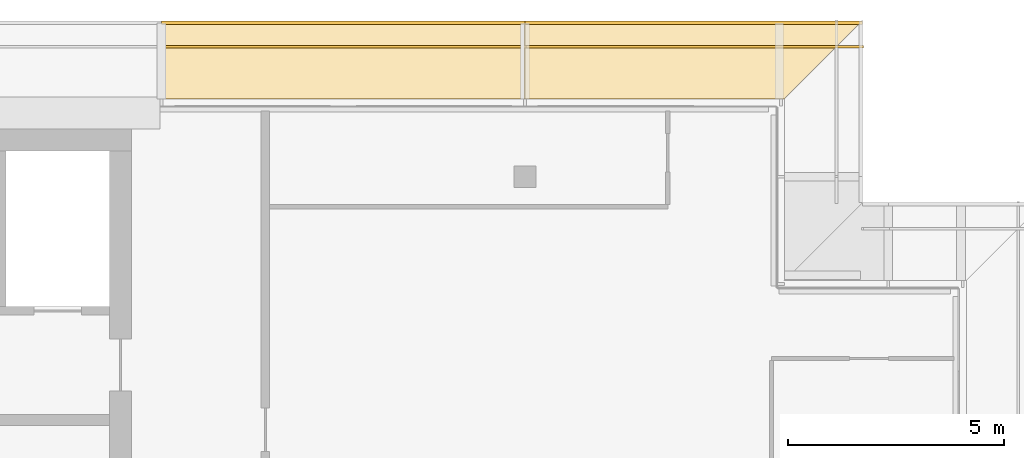
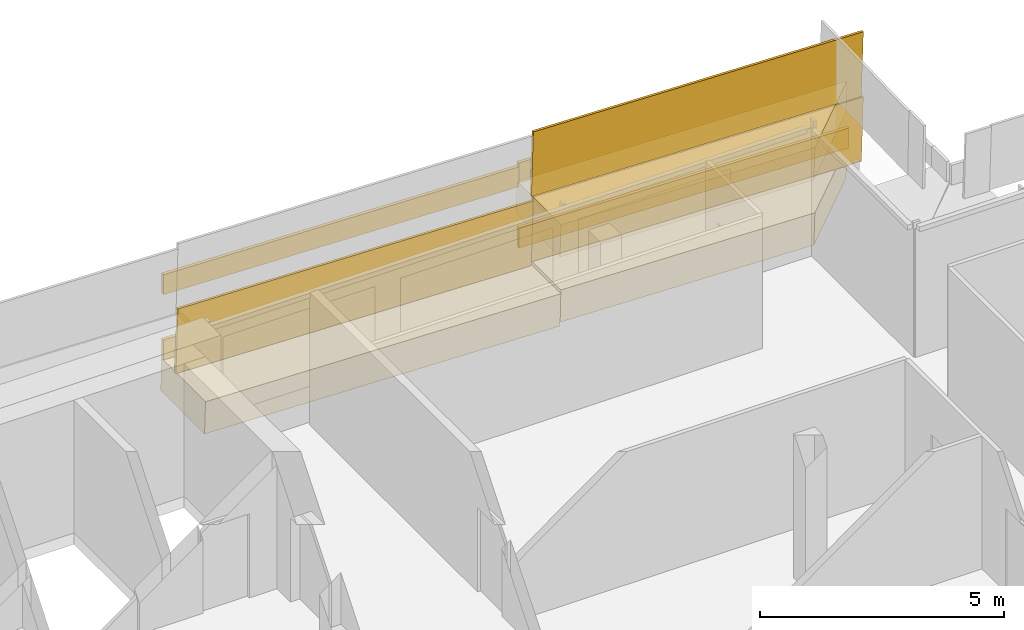
# One storey, part 30 of 33: 7 coverings, 3 railings.
"""IFC4 building model written with IfcOpenShell, lengths in metres."""

import ifcopenshell
import ifcopenshell.guid

model = None  # the IFC model being written
_history = None  # IfcOwnerHistory: only IFC2X3 demands one
_inside = {}  # id of a spatial element -> (the spatial element, [elements in it])
_under = {}  # id of a project, library or spatial element -> (it, [spatial elements below it])
_declared = {}  # id of a project -> (the project, [libraries it declares])
_typed = {}  # id of a type object -> (the type object, [elements of that type])
_made_of = {}  # id of a material, layer set ... -> (it, [elements and type objects made of it])


def new_model(schema):
    """Start an empty IFC model of exactly this schema.

    Asked for "IFC4X3", IfcOpenShell would pick the latest addendum, in which some entities
    have other attributes; the version numbers below select the first issue.
    IFC2X3 requires an IfcOwnerHistory on every rooted entity: one is made here for all.
    """
    global model, _history
    if schema == "IFC4X3":
        model = ifcopenshell.file(schema_version=(4, 3, 0, 0))
    else:
        model = ifcopenshell.file(schema=schema)
    _inside.clear()
    _under.clear()
    _declared.clear()
    _typed.clear()
    _made_of.clear()
    _history = None
    if model.schema == "IFC2X3":
        org = make("IfcOrganization", Name="unknown")
        user = make(
            "IfcPersonAndOrganization",
            ThePerson=make("IfcPerson", FamilyName="unknown"),
            TheOrganization=org,
        )
        app = make(
            "IfcApplication",
            ApplicationDeveloper=org,
            Version="unknown",
            ApplicationFullName="unknown",
            ApplicationIdentifier="unknown",
        )
        _history = make(
            "IfcOwnerHistory",
            OwningUser=user,
            OwningApplication=app,
            ChangeAction="ADDED",
            CreationDate=0,
        )
    return model


def make(cls, **values):
    """One entity of the class cls with the attributes given. An attribute that is None is left unset."""
    return model.create_entity(
        cls, **{name: value for name, value in values.items() if value is not None}
    )


def rooted(cls, **values):
    """An entity with a GlobalId (a new one), such as an element, a storey or a relation."""
    return make(cls, GlobalId=ifcopenshell.guid.new(), OwnerHistory=_history, **values)


def si_unit(unit_type, name, prefix=None):
    """IfcSIUnit, for example si_unit("LENGTHUNIT", "METRE", prefix="MILLI")."""
    return make("IfcSIUnit", UnitType=unit_type, Prefix=prefix, Name=name)


def assignment(units):
    """IfcUnitAssignment: the units of a project."""
    return None if units is None else make("IfcUnitAssignment", Units=units)


def point(xyz):
    """IfcCartesianPoint."""
    return None if xyz is None else make("IfcCartesianPoint", Coordinates=xyz)


def direction(xyz):
    """IfcDirection."""
    return None if xyz is None else make("IfcDirection", DirectionRatios=xyz)


def frame(location, z_axis=None, x_axis=None):
    """IfcAxis2Placement3D, a coordinate frame: its origin and axes. An axis left out is left unset."""
    return make(
        "IfcAxis2Placement3D",
        Location=point(location),
        Axis=direction(z_axis),
        RefDirection=direction(x_axis),
    )


def frame_2d(location, x_axis=None):
    """IfcAxis2Placement2D, a coordinate frame in the plane: its origin and x axis."""
    return make(
        "IfcAxis2Placement2D", Location=point(location), RefDirection=direction(x_axis)
    )


def origin():
    """The frame at (0, 0, 0) with its axes left unset."""
    return frame((0.0, 0.0, 0.0))


def origin_2d():
    """The frame at (0, 0) in the plane with its x axis left unset."""
    return frame_2d((0.0, 0.0))


def place(relative_to, where):
    """IfcLocalPlacement: puts the frame where relative to a parent placement (None: the world)."""
    return make(
        "IfcLocalPlacement", PlacementRelTo=relative_to, RelativePlacement=where
    )


def context(
    kind, dimensions, precision=None, world=None, true_north=None, identifier=None
):
    """IfcGeometricRepresentationContext, for example the 3D "Model" context."""
    return make(
        "IfcGeometricRepresentationContext",
        ContextIdentifier=identifier,
        ContextType=kind,
        CoordinateSpaceDimension=dimensions,
        Precision=precision,
        WorldCoordinateSystem=world,
        TrueNorth=true_north,
    )


def subcontext(parent, identifier, kind, view, scale=None):
    """IfcGeometricRepresentationSubContext, for example "Body" below "Model"."""
    return make(
        "IfcGeometricRepresentationSubContext",
        ContextIdentifier=identifier,
        ContextType=kind,
        ParentContext=parent,
        TargetScale=scale,
        TargetView=view,
    )


def project(units=None, contexts=None):
    """IfcProject with its units and contexts."""
    return rooted(
        "IfcProject",
        Name="project",
        RepresentationContexts=contexts,
        UnitsInContext=assignment(units),
    )


def spatial(cls, under=None, at=None, **own):
    """A site, building, storey or space (cls), placed at a placement, below another one or the project."""
    s = rooted(cls, ObjectPlacement=at, **own)
    if under is not None:
        _under.setdefault(under.id(), (under, []))[1].append(s)
    return s


def polyline(points):
    """IfcPolyline through the points."""
    return make("IfcPolyline", Points=[point(p) for p in points])


def profile(cls, at=None, kind="AREA", **sizes):
    """A parametric profile (cls). Its sizes go by their IFC names, for example OverallWidth=200.0."""
    return make(cls, ProfileType=kind, Position=at, **sizes)


def rectangle(**sizes):
    """IfcRectangleProfileDef."""
    return profile("IfcRectangleProfileDef", **sizes)


def outline(outer, holes=None, kind="AREA"):
    """IfcArbitraryClosedProfileDef: a profile drawn as a closed curve; with holes, ...WithVoids."""
    if holes is None:
        return make("IfcArbitraryClosedProfileDef", ProfileType=kind, OuterCurve=outer)
    return make(
        "IfcArbitraryProfileDefWithVoids",
        ProfileType=kind,
        OuterCurve=outer,
        InnerCurves=holes,
    )


def extrude(swept, where, along, depth):
    """IfcExtrudedAreaSolid: the profile swept, set in the frame where, extruded along a direction by depth."""
    return make(
        "IfcExtrudedAreaSolid",
        SweptArea=swept,
        Position=where,
        ExtrudedDirection=direction(along),
        Depth=depth,
    )


def shape(context_of_items, identifier, shape_type, items):
    """IfcShapeRepresentation: the items that make up one representation, for example the "Body"."""
    return make(
        "IfcShapeRepresentation",
        ContextOfItems=context_of_items,
        RepresentationIdentifier=identifier,
        RepresentationType=shape_type,
        Items=items,
    )


def material(Name=None, Category=None):
    """IfcMaterial."""
    return make("IfcMaterial", Name=Name, Category=Category)


def layer(
    of_material, thickness, ventilated=None, Name=None, Category=None, Priority=None
):
    """IfcMaterialLayer: one layer of a wall or slab, of a material (None: an air gap)."""
    return make(
        "IfcMaterialLayer",
        Material=of_material,
        LayerThickness=thickness,
        IsVentilated=ventilated,
        Name=Name,
        Category=Category,
        Priority=Priority,
    )


def layer_set(layers, Name=None):
    """IfcMaterialLayerSet."""
    return make("IfcMaterialLayerSet", MaterialLayers=layers, LayerSetName=Name)


def made_of(thing, what):
    """Note that an element or type object is made of a material, layer set ...; save() writes the relation."""
    if what is not None:
        _made_of.setdefault(what.id(), (what, []))[1].append(thing)
    return thing


def type_object(cls, material=None, **own):
    """A type object (cls), such as IfcWallType, which elements share."""
    return made_of(rooted(cls, **own), material)


def element(
    cls,
    number,
    at=None,
    inside=None,
    cuts=None,
    type_object=None,
    material=None,
    context=None,
    identifier="Body",
    shape_type=None,
    held_by="IfcProductDefinitionShape",
    body=None,
    shapes=None,
    **own,
):
    """One element of the class cls, such as IfcWall. Its Tag is "e" and its number.

    at: its placement. inside: the storey or other place that contains it. cuts: it is an
    opening in that element (IfcRelVoidsElement). A single representation is given by context,
    identifier, shape_type and body (its items); several are given by shapes. held_by: the class
    of the entity that holds the representations. save() writes the other relations.
    """
    e = rooted(cls, Tag="e%d" % number, ObjectPlacement=at, **own)
    if body is not None:
        shapes = [shape(context, identifier, shape_type, body)]
    if shapes is not None:
        e.Representation = make(held_by, Representations=shapes)
    if inside is not None:
        _inside.setdefault(inside.id(), (inside, []))[1].append(e)
    if cuts is not None:
        rooted(
            "IfcRelVoidsElement", RelatingBuildingElement=cuts, RelatedOpeningElement=e
        )
    if type_object is not None:
        _typed.setdefault(type_object.id(), (type_object, []))[1].append(e)
    return made_of(e, material)


def aggregate(whole, parts):
    """IfcRelAggregates: a whole, such as a stair, and the parts it consists of."""
    return rooted("IfcRelAggregates", RelatingObject=whole, RelatedObjects=parts)


def save(model, path):
    """Write the relations noted so far, then the file.

    IfcRelAggregates (storeys below a building ...), IfcRelContainedInSpatialStructure (elements
    in a storey), IfcRelDefinesByType, IfcRelAssociatesMaterial and IfcRelDeclares: one each for
    every whole, place, type object, material and project.
    """
    for whole, parts in _under.values():
        aggregate(whole, parts)
    for where, things in _inside.values():
        rooted(
            "IfcRelContainedInSpatialStructure",
            RelatedElements=things,
            RelatingStructure=where,
        )
    for kind, things in _typed.values():
        rooted("IfcRelDefinesByType", RelatedObjects=things, RelatingType=kind)
    for what, things in _made_of.values():
        rooted("IfcRelAssociatesMaterial", RelatedObjects=things, RelatingMaterial=what)
    for by, libraries in _declared.values():
        rooted("IfcRelDeclares", RelatingContext=by, RelatedDefinitions=libraries)
    model.write(path)


model = new_model("IFC4")

# Units and contexts
model_context = context("Model", 3, precision=1e-05, world=origin(), true_north=direction((0.0, 1.0)))
body_context = subcontext(model_context, "Body", "Model", "MODEL_VIEW")
ifc_project = project(units=[si_unit("LENGTHUNIT", "METRE"), si_unit("AREAUNIT", "SQUARE_METRE"), si_unit("VOLUMEUNIT", "CUBIC_METRE"), si_unit("PLANEANGLEUNIT", "RADIAN"), si_unit("MASSUNIT", "GRAM", prefix="KILO")], contexts=[model_context])

# Site, building, storey
site_placement = place(None, origin())
site = spatial("IfcSite", under=ifc_project, at=site_placement, CompositionType="ELEMENT")
building_placement = place(site_placement, origin())
building = spatial("IfcBuilding", under=site, at=building_placement, Name="Saffron Gate Tower", CompositionType="ELEMENT")
storey_placement = place(building_placement, frame((0.0, 0.0, 263.550048828125)))
storey = spatial("IfcBuildingStorey", under=building, at=storey_placement, Name="L63", CompositionType="ELEMENT", Elevation=263.550048828125)

# Coverings
ifc_material = material(Name="Timber, thermally modified ash", Category="wood")
ifc_layer_1 = layer(ifc_material, 0.800048828125)
ifc_layer_set_1 = layer_set([ifc_layer_1], Name="LD1 ledge timber")
covering_type_1 = type_object("IfcCoveringType", Name="LD1 ledge timber", PredefinedType="CLADDING", material=ifc_layer_set_1)
covering_1_placement = place(storey_placement, frame((123.0, 75.60009765625, 2.529052734375), z_axis=(0.028807146299, 3.5032058e-05, 0.99958498743), x_axis=(-0.999584988043, 3.68e-10, 0.028807146316)))
element("IfcCovering", 1, at=covering_1_placement, inside=storey, type_object=covering_type_1, Name="LEDGE", PredefinedType="CLADDING", context=body_context, shape_type="SweptSolid", body=[
    extrude(outline(polyline([(0.0, 0.0), (6.0024892885105, 0.0), (6.002489289172793, -1.7998046863955992), (-1.800799813548424, -1.799804691475862), (0.0, 0.0)])), origin(), (0.0, 0.0, -1.0), 0.800048828125),
])
covering_2_placement = place(storey_placement, frame((123.0, 75.60009765625, 0.89990234375), z_axis=(0.028789477025, -2.3920834e-05, 0.999585496814), x_axis=(-0.9995854971, 1.72e-10, 0.028789477033)))
element("IfcCovering", 2, at=covering_2_placement, inside=storey, type_object=covering_type_1, Name="LEDGE", PredefinedType="CLADDING", context=body_context, shape_type="SweptSolid", body=[
    extrude(outline(polyline([(0.0, 0.0), (6.002489288687248, -8.470329472543003e-22), (6.002489288996045, -1.7998046869850703), (-1.800792782710612, -1.7998046893537554), (0.0, 0.0)])), origin(), (0.0, 0.0, -1.0), 0.800048828125),
])
covering_3_placement = place(storey_placement, frame((117.0, 75.60009765625, 0.978271484375), z_axis=(0.028791175352, 0.0, 0.999585448184), x_axis=(-0.999585448184, 0.0, 0.028791175352)))
element("IfcCovering", 3, at=covering_3_placement, inside=storey, type_object=covering_type_1, Name="LEDGE", PredefinedType="CLADDING", context=body_context, shape_type="SweptSolid", body=[
    extrude(outline(polyline([(0.0, 0.0), (8.403385982666892, 0.0), (8.403385982666892, -1.7998046875), (0.0, -1.7998046875), (0.0, 0.0)])), origin(), (0.0, 0.0, -1.0), 0.800048828125),
])
ifc_layer_2 = layer(ifc_material, 0.080078125)
ifc_layer_set_2 = layer_set([ifc_layer_2], Name="LD2 ledge planter trough")
covering_type_2 = type_object("IfcCoveringType", Name="LD2 ledge planter trough", PredefinedType="CLADDING", material=ifc_layer_set_2)
covering_4_placement = place(storey_placement, frame((124.800048828125, 77.39990234375, 2.47705078125), z_axis=(0.0, 1.0, 0.0), x_axis=(-0.999584755248, 0.0, 0.028815222999)))
element("IfcCovering", 4, at=covering_4_placement, inside=storey, type_object=covering_type_2, Name="LEDGE planter trough", PredefinedType="CLADDING", context=body_context, shape_type="SweptSolid", body=[
    extrude(outline(polyline([(0.0, 0.0), (7.803289102975944, 0.0), (7.8176967144752565, 0.4997923776238338), (0.014407611499312996, 0.4997923776238338), (0.0, 0.0)])), origin(), (0.0, 0.0, -1.0), 0.080078125),
])
covering_5_placement = place(storey_placement, frame((117.0, 77.39990234375, 2.607177734375), z_axis=(0.0, 1.0, 0.0), x_axis=(-0.99958461165, 0.0, 0.028820203882)))
element("IfcCovering", 5, at=covering_5_placement, inside=storey, type_object=covering_type_2, Name="LEDGE planter trough", PredefinedType="CLADDING", context=body_context, shape_type="SweptSolid", body=[
    extrude(outline(polyline([(0.0, 0.0), (8.40339301530596, 0.0), (8.41780311724686, 0.49979230582518264), (0.014410101940899296, 0.49979230582518264), (0.0, 0.0)])), origin(), (0.0, 0.0, -1.0), 0.080078125),
])
covering_6_placement = place(storey_placement, frame((124.800048828125, 77.39990234375, 0.84814453125), z_axis=(0.0, 1.0, 0.0), x_axis=(-0.999585655924, 0.0, 0.028783962047)))
element("IfcCovering", 6, at=covering_6_placement, inside=storey, type_object=covering_type_2, Name="LEDGE planter trough", PredefinedType="CLADDING", context=body_context, shape_type="SweptSolid", body=[
    extrude(outline(polyline([(0.0, 0.0), (7.803282071825423, 2.7755575615628914e-17), (7.817674052849086, 0.4997928279619612), (0.014391981023662846, 0.4997928279619612), (0.0, 0.0)])), origin(), (0.0, 0.0, -1.0), 0.080078125),
])
covering_7_placement = place(storey_placement, frame((117.0, 77.39990234375, 0.978271484375), z_axis=(0.0, 1.0, 0.0), x_axis=(-0.999585448184, 0.0, 0.028791175352)))
element("IfcCovering", 7, at=covering_7_placement, inside=storey, type_object=covering_type_2, Name="LEDGE planter trough", PredefinedType="CLADDING", context=body_context, shape_type="SweptSolid", body=[
    extrude(outline(polyline([(0.0, 0.0), (8.403385982666892, 0.0), (8.417781570342743, 0.49979272409216496), (0.014395587675851172, 0.4997927240921649), (0.0, 0.0)])), origin(), (0.0, 0.0, -1.0), 0.080078125),
])

# Railings
railing_type = type_object("IfcRailingType", Name="LG1 ledge balustrade", PredefinedType="BALUSTRADE", material=ifc_material)
railing_1_placement = place(storey_placement, frame((124.800048828125, 76.800048828125, 2.47705078125)))
element("IfcRailing", 8, at=railing_1_placement, inside=storey, type_object=railing_type, Name="LEDGE BALUSTRADE", PredefinedType="BALUSTRADE", context=body_context, shape_type="SweptSolid", body=[
    extrude(rectangle(XDim=0.06005859375, YDim=1.60009765625, at=origin_2d()), frame((0.0, 0.0, 0.800048828125), z_axis=(-0.999584755248, 0.0, 0.028815222999), x_axis=(0.0, -1.0, 0.0)), (0.0, 0.0, 1.0), 7.80322265625),
])
railing_2_placement = place(storey_placement, frame((124.800048828125, 76.800048828125, 0.84814453125)))
element("IfcRailing", 9, at=railing_2_placement, inside=storey, type_object=railing_type, Name="LEDGE BALUSTRADE", PredefinedType="BALUSTRADE", context=body_context, shape_type="SweptSolid", body=[
    extrude(rectangle(XDim=0.06005859375, YDim=1.60009765625, at=origin_2d()), frame((0.0, 0.0, 0.800048828125), z_axis=(-0.999585655924, 0.0, 0.028783962047), x_axis=(0.0, -1.0, 0.0)), (0.0, 0.0, 1.0), 7.80322265625),
])
railing_3_placement = place(storey_placement, frame((117.0, 76.800048828125, 0.978271484375)))
element("IfcRailing", 10, at=railing_3_placement, inside=storey, type_object=railing_type, Name="LEDGE BALUSTRADE", PredefinedType="BALUSTRADE", context=body_context, shape_type="SweptSolid", body=[
    extrude(rectangle(XDim=0.06005859375, YDim=1.60009765625, at=origin_2d()), frame((0.0, 0.0, 0.800048828125), z_axis=(-0.999585448184, 0.0, 0.028791175352), x_axis=(0.0, -1.0, 0.0)), (0.0, 0.0, 1.0), 8.4033203125),
])

save(model, "model.ifc")
